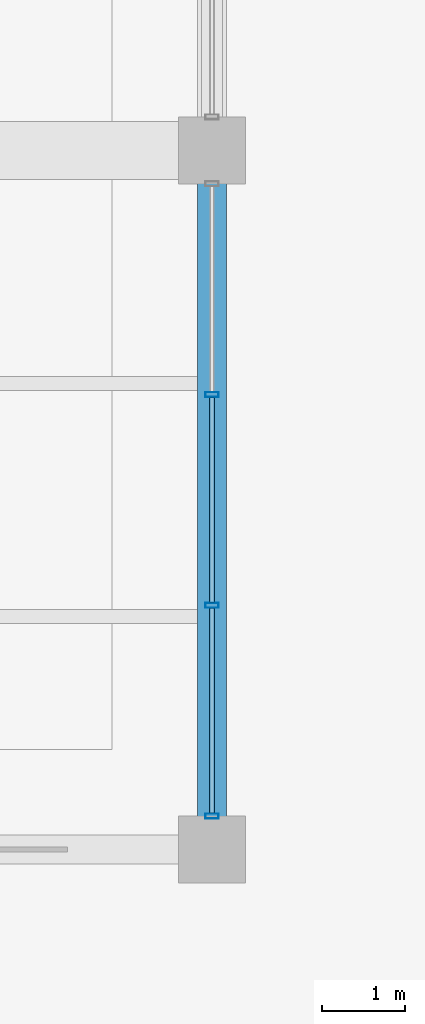
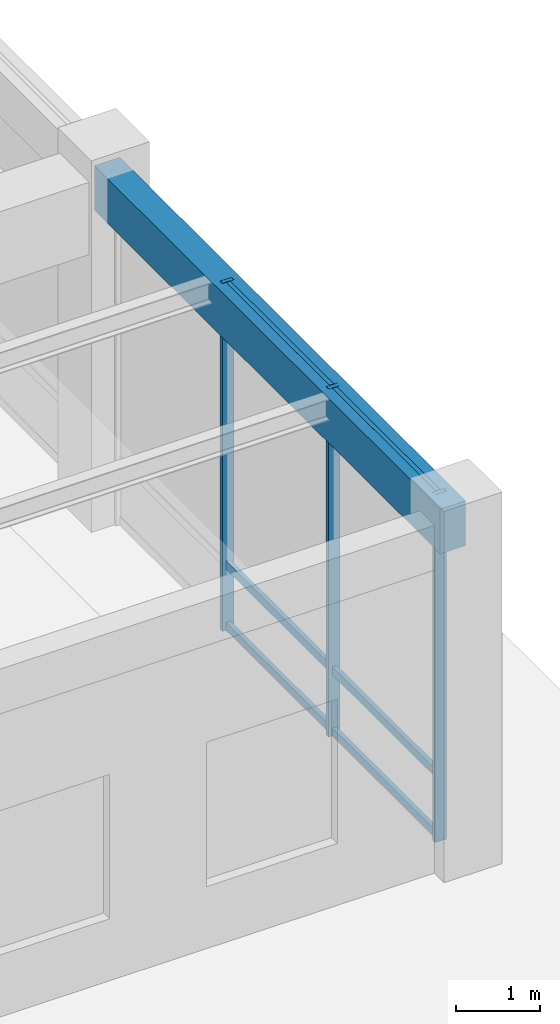
# One storey, part 93 of 157: 9 members, 1 beam, 1 element without a shape of its own.
"""IFC4 building model written with IfcOpenShell, lengths in metres."""

from ifc_helpers import new_model, si_unit, direction, frame, origin, origin_2d, place, context, subcontext, project, spatial, rectangle, hollow_rectangle, extrude, material, material_profile, profile_set, type_object, element, aggregate, save


model = new_model("IFC4")

# Units and contexts
model_context = context("Model", 3, precision=1e-05, world=origin(), true_north=direction((0.0, 1.0)))
body_context = subcontext(model_context, "Body", "Model", "MODEL_VIEW")
ifc_project = project(units=[si_unit("LENGTHUNIT", "METRE"), si_unit("AREAUNIT", "SQUARE_METRE"), si_unit("VOLUMEUNIT", "CUBIC_METRE"), si_unit("PLANEANGLEUNIT", "RADIAN"), si_unit("MASSUNIT", "GRAM", prefix="KILO"), si_unit("THERMODYNAMICTEMPERATUREUNIT", "KELVIN"), si_unit("POWERUNIT", "WATT")], contexts=[model_context])

# Site, building, storey
site_placement = place(None, origin())
site = spatial("IfcSite", under=ifc_project, at=site_placement, CompositionType="ELEMENT")
building_placement = place(site_placement, origin())
building = spatial("IfcBuilding", under=site, at=building_placement, Name="Darbajah Civic Hall", CompositionType="ELEMENT")
storey_placement = place(building_placement, origin())
storey = spatial("IfcBuildingStorey", under=building, at=storey_placement, Name="L00", CompositionType="ELEMENT", Elevation=0.0)

# Curtain wall, members
ifc_material_1 = material(Name="Anodised Bronze Aluminium and Low-E Glazing", Category="aluminium")
curtain_wall_type = type_object("IfcCurtainWallType", Name="Unitised Curtain Wall CW-95 7600x5050", PredefinedType="USERDEFINED", material=ifc_material_1)
curtain_wall_placement = place(storey_placement, origin())
curtain_wall = element("IfcCurtainWall", 1, at=curtain_wall_placement, inside=storey, type_object=curtain_wall_type, Name="L00 unitised curtain wall CW-V4-L00-S1-B0", ObjectType="UNITISED CURTAIN WALL", PredefinedType="USERDEFINED")
ifc_material_2 = material(Name="Anodised Bronze Aluminium", Category="aluminium")
ifc_material_profile_1 = material_profile(ifc_material_2, hollow_rectangle(XDim=0.06005859375, YDim=0.159912109375, WallThickness=0.00341796875, at=origin_2d()), Name="ALU MULLION 60x160")
ifc_profile_set_1 = profile_set([ifc_material_profile_1], Name="Anodised Bronze Aluminium")
member_type_1 = type_object("IfcMemberType", Name="ALU MULLION 60x160", PredefinedType="MULLION", material=ifc_profile_set_1)
member_1_placement = place(storey_placement, frame((178.199951171875, 56.802001953125, 0.0), z_axis=(0.0, 0.0, 1.0), x_axis=(0.0, 1.0, 0.0)))
member_1 = element("IfcMember", 2, at=member_1_placement, type_object=member_type_1, Name="CW-V4-L00-S1-B0 mullion 1", PredefinedType="MULLION", context=body_context, shape_type="SweptSolid", body=[
    extrude(hollow_rectangle(XDim=0.06005859375, YDim=0.159912109375, WallThickness=0.00341796875, at=origin_2d()), origin(), (0.0, 0.0, 1.0), 5.06005859375),
])
member_2_placement = place(storey_placement, frame((178.199951171875, 59.333984375, 0.0), z_axis=(0.0, 0.0, 1.0), x_axis=(0.0, 1.0, 0.0)))
member_2 = element("IfcMember", 3, at=member_2_placement, type_object=member_type_1, Name="CW-V4-L00-S1-B0 mullion 2", PredefinedType="MULLION", context=body_context, shape_type="SweptSolid", body=[
    extrude(hollow_rectangle(XDim=0.06005859375, YDim=0.159912109375, WallThickness=0.00341796875, at=origin_2d()), origin(), (0.0, 0.0, 1.0), 5.06005859375),
])
member_3_placement = place(storey_placement, frame((178.199951171875, 61.865966796875, 0.0), z_axis=(0.0, 0.0, 1.0), x_axis=(0.0, 1.0, 0.0)))
member_3 = element("IfcMember", 4, at=member_3_placement, type_object=member_type_1, Name="CW-V4-L00-S1-B0 mullion 3", PredefinedType="MULLION", context=body_context, shape_type="SweptSolid", body=[
    extrude(hollow_rectangle(XDim=0.06005859375, YDim=0.159912109375, WallThickness=0.00341796875, at=origin_2d()), origin(), (0.0, 0.0, 1.0), 5.06005859375),
])
ifc_material_profile_2 = material_profile(ifc_material_2, hollow_rectangle(XDim=0.06005859375, YDim=0.1201171875, WallThickness=0.003173828125, at=origin_2d()), Name="ALU TRANSOM 60x120")
ifc_profile_set_2 = profile_set([ifc_material_profile_2], Name="Anodised Bronze Aluminium")
member_type_2 = type_object("IfcMemberType", Name="ALU TRANSOM 60x120", PredefinedType="USERDEFINED", material=ifc_profile_set_2)
member_4_placement = place(storey_placement, frame((178.199951171875, 56.8369140625, 0.06005859375), z_axis=(0.0, 1.0, 0.0), x_axis=(-1.0, 0.0, 0.0)))
member_4 = element("IfcMember", 5, at=member_4_placement, type_object=member_type_2, Name="CW-V4-L00-S1-B0 transom 1.1", ObjectType="TRANSOM", PredefinedType="USERDEFINED", context=body_context, shape_type="SweptSolid", body=[
    extrude(hollow_rectangle(XDim=0.06005859375, YDim=0.1201171875, WallThickness=0.003173828125, at=origin_2d()), origin(), (0.0, 0.0, 1.0), 2.462158203125),
])
member_5_placement = place(storey_placement, frame((178.199951171875, 56.8369140625, 0.949951171875), z_axis=(0.0, 1.0, 0.0), x_axis=(-1.0, 0.0, 0.0)))
member_5 = element("IfcMember", 6, at=member_5_placement, type_object=member_type_2, Name="CW-V4-L00-S1-B0 transom 1.2", ObjectType="TRANSOM", PredefinedType="USERDEFINED", context=body_context, shape_type="SweptSolid", body=[
    extrude(hollow_rectangle(XDim=0.06005859375, YDim=0.1201171875, WallThickness=0.003173828125, at=origin_2d()), origin(), (0.0, 0.0, 1.0), 2.462158203125),
])
member_6_placement = place(storey_placement, frame((178.199951171875, 56.8369140625, 5.0), z_axis=(0.0, 1.0, 0.0), x_axis=(-1.0, 0.0, 0.0)))
member_6 = element("IfcMember", 7, at=member_6_placement, type_object=member_type_2, Name="CW-V4-L00-S1-B0 transom 1.3", ObjectType="TRANSOM", PredefinedType="USERDEFINED", context=body_context, shape_type="SweptSolid", body=[
    extrude(hollow_rectangle(XDim=0.06005859375, YDim=0.1201171875, WallThickness=0.003173828125, at=origin_2d()), origin(), (0.0, 0.0, 1.0), 2.462158203125),
])
member_7_placement = place(storey_placement, frame((178.199951171875, 59.368896484375, 0.06005859375), z_axis=(0.0, 1.0, 0.0), x_axis=(-1.0, 0.0, 0.0)))
member_7 = element("IfcMember", 8, at=member_7_placement, type_object=member_type_2, Name="CW-V4-L00-S1-B0 transom 2.1", ObjectType="TRANSOM", PredefinedType="USERDEFINED", context=body_context, shape_type="SweptSolid", body=[
    extrude(hollow_rectangle(XDim=0.06005859375, YDim=0.1201171875, WallThickness=0.003173828125, at=origin_2d()), origin(), (0.0, 0.0, 1.0), 2.462158203125),
])
member_8_placement = place(storey_placement, frame((178.199951171875, 59.368896484375, 0.949951171875), z_axis=(0.0, 1.0, 0.0), x_axis=(-1.0, 0.0, 0.0)))
member_8 = element("IfcMember", 9, at=member_8_placement, type_object=member_type_2, Name="CW-V4-L00-S1-B0 transom 2.2", ObjectType="TRANSOM", PredefinedType="USERDEFINED", context=body_context, shape_type="SweptSolid", body=[
    extrude(hollow_rectangle(XDim=0.06005859375, YDim=0.1201171875, WallThickness=0.003173828125, at=origin_2d()), origin(), (0.0, 0.0, 1.0), 2.462158203125),
])
member_9_placement = place(storey_placement, frame((178.199951171875, 59.368896484375, 5.0), z_axis=(0.0, 1.0, 0.0), x_axis=(-1.0, 0.0, 0.0)))
member_9 = element("IfcMember", 10, at=member_9_placement, type_object=member_type_2, Name="CW-V4-L00-S1-B0 transom 2.3", ObjectType="TRANSOM", PredefinedType="USERDEFINED", context=body_context, shape_type="SweptSolid", body=[
    extrude(hollow_rectangle(XDim=0.06005859375, YDim=0.1201171875, WallThickness=0.003173828125, at=origin_2d()), origin(), (0.0, 0.0, 1.0), 2.462158203125),
])
aggregate(curtain_wall, [member_1, member_2, member_3, member_4, member_5, member_6, member_7, member_8, member_9])

# Beam
ifc_material_3 = material(Name="Concrete C45/55", Category="concrete")
ifc_material_profile_3 = material_profile(ifc_material_3, rectangle(XDim=0.35009765625, YDim=0.64990234375, at=origin_2d()), Name="RC SPANDREL 350x650")
ifc_profile_set_3 = profile_set([ifc_material_profile_3], Name="Concrete C45/55")
beam_type = type_object("IfcBeamType", Name="RC SPANDREL 350x650", PredefinedType="SPANDREL", material=ifc_profile_set_3)
beam_placement = place(storey_placement, frame((178.199951171875, 56.47998046875, 4.735107421875), z_axis=(0.0, 1.0, 0.0), x_axis=(-1.0, 0.0, 0.0)))
element("IfcBeam", 11, at=beam_placement, inside=storey, type_object=beam_type, Name="L00 beam SP-3565", PredefinedType="SPANDREL", context=body_context, shape_type="SweptSolid", body=[
    extrude(rectangle(XDim=0.35009765625, YDim=0.64990234375, at=origin_2d()), origin(), (0.0, 0.0, 1.0), 8.239990234375),
])

save(model, "model.ifc")
